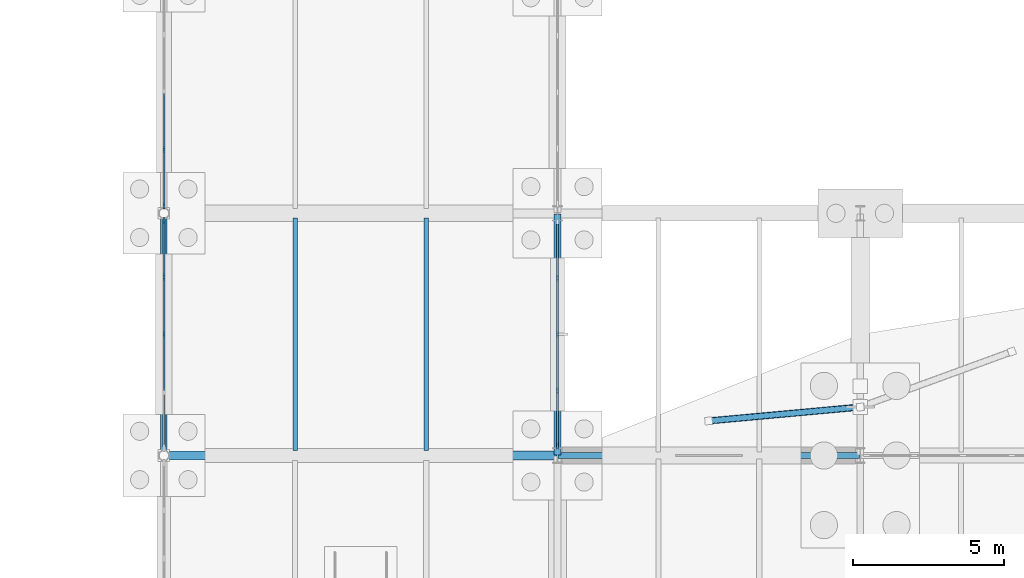
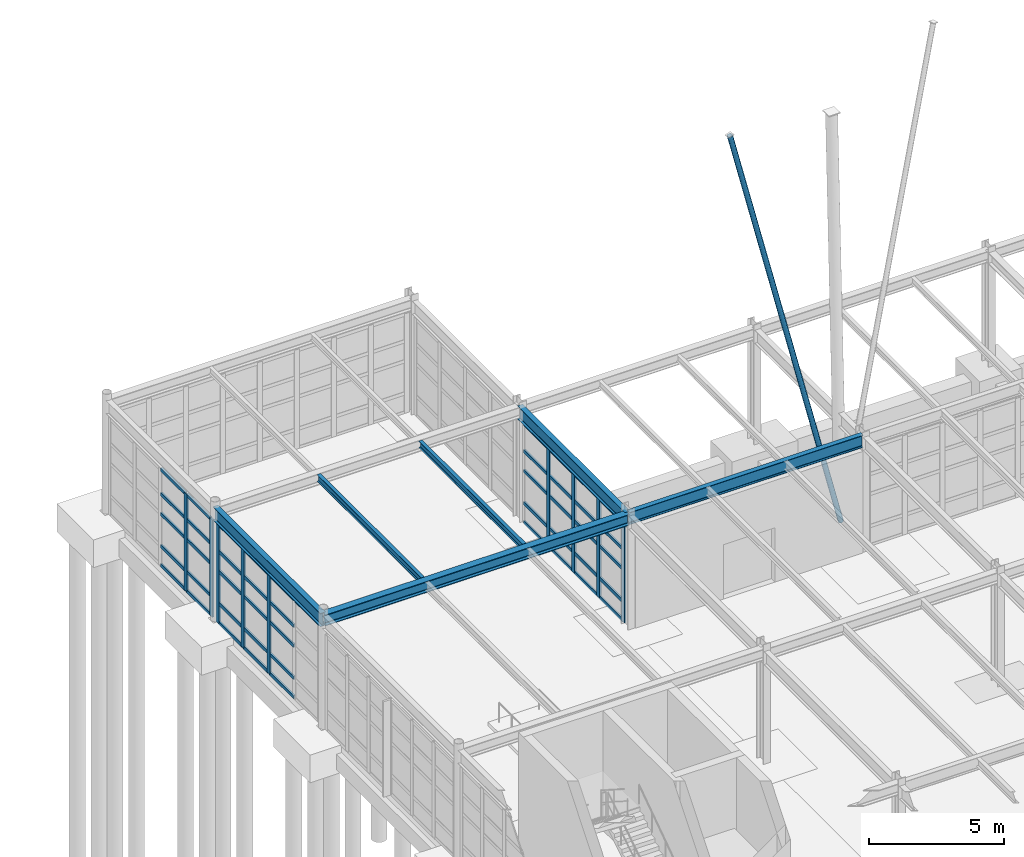
# One storey, part 53 of 145: 56 members, 6 beams, 3 elements without a shape of their own.
"""IFC4 building model written with IfcOpenShell, lengths in metres."""

import ifcopenshell
import ifcopenshell.guid

model = None  # the IFC model being written
_history = None  # IfcOwnerHistory: only IFC2X3 demands one
_inside = {}  # id of a spatial element -> (the spatial element, [elements in it])
_under = {}  # id of a project, library or spatial element -> (it, [spatial elements below it])
_declared = {}  # id of a project -> (the project, [libraries it declares])
_typed = {}  # id of a type object -> (the type object, [elements of that type])
_made_of = {}  # id of a material, layer set ... -> (it, [elements and type objects made of it])


def new_model(schema):
    """Start an empty IFC model of exactly this schema.

    Asked for "IFC4X3", IfcOpenShell would pick the latest addendum, in which some entities
    have other attributes; the version numbers below select the first issue.
    IFC2X3 requires an IfcOwnerHistory on every rooted entity: one is made here for all.
    """
    global model, _history
    if schema == "IFC4X3":
        model = ifcopenshell.file(schema_version=(4, 3, 0, 0))
    else:
        model = ifcopenshell.file(schema=schema)
    _inside.clear()
    _under.clear()
    _declared.clear()
    _typed.clear()
    _made_of.clear()
    _history = None
    if model.schema == "IFC2X3":
        org = make("IfcOrganization", Name="unknown")
        user = make(
            "IfcPersonAndOrganization",
            ThePerson=make("IfcPerson", FamilyName="unknown"),
            TheOrganization=org,
        )
        app = make(
            "IfcApplication",
            ApplicationDeveloper=org,
            Version="unknown",
            ApplicationFullName="unknown",
            ApplicationIdentifier="unknown",
        )
        _history = make(
            "IfcOwnerHistory",
            OwningUser=user,
            OwningApplication=app,
            ChangeAction="ADDED",
            CreationDate=0,
        )
    return model


def make(cls, **values):
    """One entity of the class cls with the attributes given. An attribute that is None is left unset."""
    return model.create_entity(
        cls, **{name: value for name, value in values.items() if value is not None}
    )


def rooted(cls, **values):
    """An entity with a GlobalId (a new one), such as an element, a storey or a relation."""
    return make(cls, GlobalId=ifcopenshell.guid.new(), OwnerHistory=_history, **values)


def si_unit(unit_type, name, prefix=None):
    """IfcSIUnit, for example si_unit("LENGTHUNIT", "METRE", prefix="MILLI")."""
    return make("IfcSIUnit", UnitType=unit_type, Prefix=prefix, Name=name)


def assignment(units):
    """IfcUnitAssignment: the units of a project."""
    return None if units is None else make("IfcUnitAssignment", Units=units)


def point(xyz):
    """IfcCartesianPoint."""
    return None if xyz is None else make("IfcCartesianPoint", Coordinates=xyz)


def direction(xyz):
    """IfcDirection."""
    return None if xyz is None else make("IfcDirection", DirectionRatios=xyz)


def frame(location, z_axis=None, x_axis=None):
    """IfcAxis2Placement3D, a coordinate frame: its origin and axes. An axis left out is left unset."""
    return make(
        "IfcAxis2Placement3D",
        Location=point(location),
        Axis=direction(z_axis),
        RefDirection=direction(x_axis),
    )


def frame_2d(location, x_axis=None):
    """IfcAxis2Placement2D, a coordinate frame in the plane: its origin and x axis."""
    return make(
        "IfcAxis2Placement2D", Location=point(location), RefDirection=direction(x_axis)
    )


def origin():
    """The frame at (0, 0, 0) with its axes left unset."""
    return frame((0.0, 0.0, 0.0))


def origin_2d():
    """The frame at (0, 0) in the plane with its x axis left unset."""
    return frame_2d((0.0, 0.0))


def place(relative_to, where):
    """IfcLocalPlacement: puts the frame where relative to a parent placement (None: the world)."""
    return make(
        "IfcLocalPlacement", PlacementRelTo=relative_to, RelativePlacement=where
    )


def context(
    kind, dimensions, precision=None, world=None, true_north=None, identifier=None
):
    """IfcGeometricRepresentationContext, for example the 3D "Model" context."""
    return make(
        "IfcGeometricRepresentationContext",
        ContextIdentifier=identifier,
        ContextType=kind,
        CoordinateSpaceDimension=dimensions,
        Precision=precision,
        WorldCoordinateSystem=world,
        TrueNorth=true_north,
    )


def subcontext(parent, identifier, kind, view, scale=None):
    """IfcGeometricRepresentationSubContext, for example "Body" below "Model"."""
    return make(
        "IfcGeometricRepresentationSubContext",
        ContextIdentifier=identifier,
        ContextType=kind,
        ParentContext=parent,
        TargetScale=scale,
        TargetView=view,
    )


def project(units=None, contexts=None):
    """IfcProject with its units and contexts."""
    return rooted(
        "IfcProject",
        Name="project",
        RepresentationContexts=contexts,
        UnitsInContext=assignment(units),
    )


def spatial(cls, under=None, at=None, **own):
    """A site, building, storey or space (cls), placed at a placement, below another one or the project."""
    s = rooted(cls, ObjectPlacement=at, **own)
    if under is not None:
        _under.setdefault(under.id(), (under, []))[1].append(s)
    return s


def profile(cls, at=None, kind="AREA", **sizes):
    """A parametric profile (cls). Its sizes go by their IFC names, for example OverallWidth=200.0."""
    return make(cls, ProfileType=kind, Position=at, **sizes)


def rectangle(**sizes):
    """IfcRectangleProfileDef."""
    return profile("IfcRectangleProfileDef", **sizes)


def hollow_circle(**sizes):
    """IfcCircleHollowProfileDef."""
    return profile("IfcCircleHollowProfileDef", **sizes)


def i_section(**sizes):
    """IfcIShapeProfileDef."""
    return profile("IfcIShapeProfileDef", **sizes)


def extrude(swept, where, along, depth):
    """IfcExtrudedAreaSolid: the profile swept, set in the frame where, extruded along a direction by depth."""
    return make(
        "IfcExtrudedAreaSolid",
        SweptArea=swept,
        Position=where,
        ExtrudedDirection=direction(along),
        Depth=depth,
    )


def shape(context_of_items, identifier, shape_type, items):
    """IfcShapeRepresentation: the items that make up one representation, for example the "Body"."""
    return make(
        "IfcShapeRepresentation",
        ContextOfItems=context_of_items,
        RepresentationIdentifier=identifier,
        RepresentationType=shape_type,
        Items=items,
    )


def material(Name=None, Category=None):
    """IfcMaterial."""
    return make("IfcMaterial", Name=Name, Category=Category)


def layer(
    of_material, thickness, ventilated=None, Name=None, Category=None, Priority=None
):
    """IfcMaterialLayer: one layer of a wall or slab, of a material (None: an air gap)."""
    return make(
        "IfcMaterialLayer",
        Material=of_material,
        LayerThickness=thickness,
        IsVentilated=ventilated,
        Name=Name,
        Category=Category,
        Priority=Priority,
    )


def layer_set(layers, Name=None):
    """IfcMaterialLayerSet."""
    return make("IfcMaterialLayerSet", MaterialLayers=layers, LayerSetName=Name)


def material_profile(
    of_material, cross_section, Name=None, Category=None, Priority=None
):
    """IfcMaterialProfile: a cross section and its material."""
    return make(
        "IfcMaterialProfile",
        Name=Name,
        Material=of_material,
        Profile=cross_section,
        Priority=Priority,
        Category=Category,
    )


def profile_set(profiles, Name=None, composite=None):
    """IfcMaterialProfileSet."""
    return make(
        "IfcMaterialProfileSet",
        Name=Name,
        MaterialProfiles=profiles,
        CompositeProfile=composite,
    )


def made_of(thing, what):
    """Note that an element or type object is made of a material, layer set ...; save() writes the relation."""
    if what is not None:
        _made_of.setdefault(what.id(), (what, []))[1].append(thing)
    return thing


def type_object(cls, material=None, **own):
    """A type object (cls), such as IfcWallType, which elements share."""
    return made_of(rooted(cls, **own), material)


def element(
    cls,
    number,
    at=None,
    inside=None,
    cuts=None,
    type_object=None,
    material=None,
    context=None,
    identifier="Body",
    shape_type=None,
    held_by="IfcProductDefinitionShape",
    body=None,
    shapes=None,
    **own,
):
    """One element of the class cls, such as IfcWall. Its Tag is "e" and its number.

    at: its placement. inside: the storey or other place that contains it. cuts: it is an
    opening in that element (IfcRelVoidsElement). A single representation is given by context,
    identifier, shape_type and body (its items); several are given by shapes. held_by: the class
    of the entity that holds the representations. save() writes the other relations.
    """
    e = rooted(cls, Tag="e%d" % number, ObjectPlacement=at, **own)
    if body is not None:
        shapes = [shape(context, identifier, shape_type, body)]
    if shapes is not None:
        e.Representation = make(held_by, Representations=shapes)
    if inside is not None:
        _inside.setdefault(inside.id(), (inside, []))[1].append(e)
    if cuts is not None:
        rooted(
            "IfcRelVoidsElement", RelatingBuildingElement=cuts, RelatedOpeningElement=e
        )
    if type_object is not None:
        _typed.setdefault(type_object.id(), (type_object, []))[1].append(e)
    return made_of(e, material)


def aggregate(whole, parts):
    """IfcRelAggregates: a whole, such as a stair, and the parts it consists of."""
    return rooted("IfcRelAggregates", RelatingObject=whole, RelatedObjects=parts)


def save(model, path):
    """Write the relations noted so far, then the file.

    IfcRelAggregates (storeys below a building ...), IfcRelContainedInSpatialStructure (elements
    in a storey), IfcRelDefinesByType, IfcRelAssociatesMaterial and IfcRelDeclares: one each for
    every whole, place, type object, material and project.
    """
    for whole, parts in _under.values():
        aggregate(whole, parts)
    for where, things in _inside.values():
        rooted(
            "IfcRelContainedInSpatialStructure",
            RelatedElements=things,
            RelatingStructure=where,
        )
    for kind, things in _typed.values():
        rooted("IfcRelDefinesByType", RelatedObjects=things, RelatingType=kind)
    for what, things in _made_of.values():
        rooted("IfcRelAssociatesMaterial", RelatedObjects=things, RelatingMaterial=what)
    for by, libraries in _declared.values():
        rooted("IfcRelDeclares", RelatingContext=by, RelatedDefinitions=libraries)
    model.write(path)


model = new_model("IFC4")

# Units and contexts
model_context = context("Model", 3, precision=1e-05, world=origin(), true_north=direction((0.0, 1.0)))
body_context = subcontext(model_context, "Body", "Model", "MODEL_VIEW")
ifc_project = project(units=[si_unit("LENGTHUNIT", "METRE"), si_unit("AREAUNIT", "SQUARE_METRE"), si_unit("VOLUMEUNIT", "CUBIC_METRE"), si_unit("PLANEANGLEUNIT", "RADIAN"), si_unit("MASSUNIT", "GRAM", prefix="KILO"), si_unit("THERMODYNAMICTEMPERATUREUNIT", "KELVIN"), si_unit("POWERUNIT", "WATT")], contexts=[model_context])

# Site, building, storey
site_placement = place(None, origin())
site = spatial("IfcSite", under=ifc_project, at=site_placement, CompositionType="ELEMENT")
building_placement = place(site_placement, origin())
building = spatial("IfcBuilding", under=site, at=building_placement, Name="Korenveer Ferry Terminal", CompositionType="ELEMENT")
storey_placement = place(building_placement, origin())
storey = spatial("IfcBuildingStorey", under=building, at=storey_placement, Name="L00", CompositionType="ELEMENT", Elevation=0.0)

# Curtain wall, members
ifc_material_1 = material(Name="Unitised bronze-and-glass curtain wall", Category="glass")
ifc_layer_1 = layer(ifc_material_1, 0.219970703125)
ifc_layer_set_1 = layer_set([ifc_layer_1], Name="Unitised bronze-and-glass curtain wall")
curtain_wall_type_1 = type_object("IfcCurtainWallType", Name="ENV-CW-23", PredefinedType="USERDEFINED", material=ifc_layer_set_1)
curtain_wall_1_placement = place(storey_placement, frame((40.0, 100.207763671875, 0.0)))
curtain_wall_1 = element("IfcCurtainWall", 1, at=curtain_wall_1_placement, inside=storey, type_object=curtain_wall_type_1, Name="Lancet curtain wall CWX-L00-X40-40-Y100-108", ObjectType="UNITISED CURTAIN WALL", PredefinedType="USERDEFINED")
ifc_material_2 = material(Name="Anodised bronze aluminium", Category="aluminium")
ifc_material_profile_1 = material_profile(ifc_material_2, rectangle(XDim=0.074951171875, YDim=0.219970703125, at=origin_2d()), Name="ALU 75x220")
ifc_profile_set_1 = profile_set([ifc_material_profile_1], Name="Anodised bronze aluminium")
member_type_1 = type_object("IfcMemberType", Name="ENV-CWM-75X220", PredefinedType="MULLION", material=ifc_profile_set_1)
member_1_placement = place(storey_placement, frame((40.0, 104.0, 0.0), z_axis=(0.0, 0.0, 1.0), x_axis=(-1.0, 0.0, 0.0)))
member_1 = element("IfcMember", 2, at=member_1_placement, type_object=member_type_1, Name="CW-23 mullion 3", PredefinedType="MULLION", context=body_context, shape_type="SweptSolid", body=[
    extrude(rectangle(XDim=0.074951171875, YDim=0.219970703125, at=origin_2d()), origin(), (0.0, 0.0, 1.0), 4.489990234375),
])
member_2_placement = place(storey_placement, frame((40.0, 105.89599609375, 0.0), z_axis=(0.0, 0.0, 1.0), x_axis=(-1.0, 0.0, 0.0)))
member_2 = element("IfcMember", 3, at=member_2_placement, type_object=member_type_1, Name="CW-23 mullion 4", PredefinedType="MULLION", context=body_context, shape_type="SweptSolid", body=[
    extrude(rectangle(XDim=0.074951171875, YDim=0.219970703125, at=origin_2d()), origin(), (0.0, 0.0, 1.0), 4.489990234375),
])
member_3_placement = place(storey_placement, frame((40.0, 107.754638671875, 0.0), z_axis=(0.0, 0.0, 1.0), x_axis=(-1.0, 0.0, 0.0)))
member_3 = element("IfcMember", 4, at=member_3_placement, type_object=member_type_1, Name="CW-23 mullion 5", PredefinedType="MULLION", context=body_context, shape_type="SweptSolid", body=[
    extrude(rectangle(XDim=0.074951171875, YDim=0.219970703125, at=origin_2d()), origin(), (0.0, 0.0, 1.0), 4.489990234375),
])

ifc_layer_2 = layer(ifc_material_1, 0.219970703125)
ifc_layer_set_2 = layer_set([ifc_layer_2], Name="Unitised bronze-and-glass curtain wall")
curtain_wall_type_2 = type_object("IfcCurtainWallType", Name="ENV-CW-24", PredefinedType="USERDEFINED", material=ifc_layer_set_2)
curtain_wall_2_placement = place(storey_placement, frame((40.0, 108.207763671875, 0.0)))
curtain_wall_2 = element("IfcCurtainWall", 5, at=curtain_wall_2_placement, inside=storey, type_object=curtain_wall_type_2, Name="Lancet curtain wall CWX-L00-X40-40-Y108-116", ObjectType="UNITISED CURTAIN WALL", PredefinedType="USERDEFINED")
member_4_placement = place(storey_placement, frame((40.0, 108.245361328125, 0.0), z_axis=(0.0, 0.0, 1.0), x_axis=(-1.0, 0.0, 0.0)))
member_4 = element("IfcMember", 6, at=member_4_placement, type_object=member_type_1, Name="CW-24 mullion 1", PredefinedType="MULLION", context=body_context, shape_type="SweptSolid", body=[
    extrude(rectangle(XDim=0.074951171875, YDim=0.219970703125, at=origin_2d()), origin(), (0.0, 0.0, 1.0), 4.389892578125),
])
member_5_placement = place(storey_placement, frame((40.0, 110.10400390625, 0.0), z_axis=(0.0, 0.0, 1.0), x_axis=(-1.0, 0.0, 0.0)))
member_5 = element("IfcMember", 7, at=member_5_placement, type_object=member_type_1, Name="CW-24 mullion 2", PredefinedType="MULLION", context=body_context, shape_type="SweptSolid", body=[
    extrude(rectangle(XDim=0.074951171875, YDim=0.219970703125, at=origin_2d()), origin(), (0.0, 0.0, 1.0), 4.389892578125),
])

ifc_layer_3 = layer(ifc_material_1, 0.219970703125)
ifc_layer_set_3 = layer_set([ifc_layer_3], Name="Unitised bronze-and-glass curtain wall")
curtain_wall_type_3 = type_object("IfcCurtainWallType", Name="ENV-CW-28", PredefinedType="USERDEFINED", material=ifc_layer_set_3)
curtain_wall_3_placement = place(storey_placement, frame((53.0, 107.719970703125, 0.0)))
curtain_wall_3 = element("IfcCurtainWall", 8, at=curtain_wall_3_placement, inside=storey, type_object=curtain_wall_type_3, Name="Lancet curtain wall CWX-L00-X53-53-Y100-108", ObjectType="UNITISED CURTAIN WALL", PredefinedType="USERDEFINED")
member_6_placement = place(storey_placement, frame((53.0, 105.860107421875, 0.0), z_axis=(0.0, 0.0, 1.0), x_axis=(1.0, 0.0, 0.0)))
member_6 = element("IfcMember", 9, at=member_6_placement, type_object=member_type_1, Name="CW-28 mullion 2", PredefinedType="MULLION", context=body_context, shape_type="SweptSolid", body=[
    extrude(rectangle(XDim=0.074951171875, YDim=0.219970703125, at=origin_2d()), origin(), (0.0, 0.0, 1.0), 4.489990234375),
])
member_7_placement = place(storey_placement, frame((53.0, 104.0, 0.0), z_axis=(0.0, 0.0, 1.0), x_axis=(1.0, 0.0, 0.0)))
member_7 = element("IfcMember", 10, at=member_7_placement, type_object=member_type_1, Name="CW-28 mullion 3", PredefinedType="MULLION", context=body_context, shape_type="SweptSolid", body=[
    extrude(rectangle(XDim=0.074951171875, YDim=0.219970703125, at=origin_2d()), origin(), (0.0, 0.0, 1.0), 4.489990234375),
])
member_8_placement = place(storey_placement, frame((53.0, 102.139892578125, 0.0), z_axis=(0.0, 0.0, 1.0), x_axis=(1.0, 0.0, 0.0)))
member_8 = element("IfcMember", 11, at=member_8_placement, type_object=member_type_1, Name="CW-28 mullion 4", PredefinedType="MULLION", context=body_context, shape_type="SweptSolid", body=[
    extrude(rectangle(XDim=0.074951171875, YDim=0.219970703125, at=origin_2d()), origin(), (0.0, 0.0, 1.0), 4.489990234375),
])
member_9_placement = place(storey_placement, frame((53.0, 100.3173828125, 0.0), z_axis=(0.0, 0.0, 1.0), x_axis=(1.0, 0.0, 0.0)))
member_9 = element("IfcMember", 12, at=member_9_placement, type_object=member_type_1, Name="CW-28 mullion 5", PredefinedType="MULLION", context=body_context, shape_type="SweptSolid", body=[
    extrude(rectangle(XDim=0.074951171875, YDim=0.219970703125, at=origin_2d()), origin(), (0.0, 0.0, 1.0), 4.489990234375),
])

# Member
ifc_material_profile_2 = material_profile(ifc_material_2, rectangle(XDim=0.074951171875, YDim=0.14990234375, at=origin_2d()), Name="ALU 75x150")
ifc_profile_set_2 = profile_set([ifc_material_profile_2], Name="Anodised bronze aluminium")
member_type_2 = type_object("IfcMemberType", Name="ENV-CWT-75X150", PredefinedType="USERDEFINED", material=ifc_profile_set_2)
member_10_placement = place(storey_placement, frame((40.0, 100.28271484375, 4.452392578125), z_axis=(0.0, 1.0, 0.0), x_axis=(-1.0, 0.0, 0.0)))
member_10 = element("IfcMember", 13, at=member_10_placement, type_object=member_type_2, Name="CW-23 transom 1.5", ObjectType="TRANSOM", PredefinedType="USERDEFINED", context=body_context, shape_type="SweptSolid", body=[
    extrude(rectangle(XDim=0.074951171875, YDim=0.14990234375, at=origin_2d()), origin(), (0.0, 0.0, 1.0), 1.78369140625),
])

member_11_placement = place(storey_placement, frame((40.0, 102.141357421875, 0.03759765625), z_axis=(0.0, 1.0, 0.0), x_axis=(-1.0, 0.0, 0.0)))
member_11 = element("IfcMember", 14, at=member_11_placement, type_object=member_type_2, Name="CW-23 transom 2.1", ObjectType="TRANSOM", PredefinedType="USERDEFINED", context=body_context, shape_type="SweptSolid", body=[
    extrude(rectangle(XDim=0.074951171875, YDim=0.14990234375, at=origin_2d()), origin(), (0.0, 0.0, 1.0), 1.821044921875),
])

member_12_placement = place(storey_placement, frame((40.0, 102.141357421875, 0.89990234375), z_axis=(0.0, 1.0, 0.0), x_axis=(-1.0, 0.0, 0.0)))
member_12 = element("IfcMember", 15, at=member_12_placement, type_object=member_type_2, Name="CW-23 transom 2.2", ObjectType="TRANSOM", PredefinedType="USERDEFINED", context=body_context, shape_type="SweptSolid", body=[
    extrude(rectangle(XDim=0.074951171875, YDim=0.14990234375, at=origin_2d()), origin(), (0.0, 0.0, 1.0), 1.821044921875),
])

member_13_placement = place(storey_placement, frame((40.0, 102.141357421875, 2.35009765625), z_axis=(0.0, 1.0, 0.0), x_axis=(-1.0, 0.0, 0.0)))
member_13 = element("IfcMember", 16, at=member_13_placement, type_object=member_type_2, Name="CW-23 transom 2.3", ObjectType="TRANSOM", PredefinedType="USERDEFINED", context=body_context, shape_type="SweptSolid", body=[
    extrude(rectangle(XDim=0.074951171875, YDim=0.14990234375, at=origin_2d()), origin(), (0.0, 0.0, 1.0), 1.821044921875),
])

member_14_placement = place(storey_placement, frame((40.0, 102.141357421875, 3.25), z_axis=(0.0, 1.0, 0.0), x_axis=(-1.0, 0.0, 0.0)))
member_14 = element("IfcMember", 17, at=member_14_placement, type_object=member_type_2, Name="CW-23 transom 2.4", ObjectType="TRANSOM", PredefinedType="USERDEFINED", context=body_context, shape_type="SweptSolid", body=[
    extrude(rectangle(XDim=0.074951171875, YDim=0.14990234375, at=origin_2d()), origin(), (0.0, 0.0, 1.0), 1.821044921875),
])

member_15_placement = place(storey_placement, frame((40.0, 102.141357421875, 4.452392578125), z_axis=(0.0, 1.0, 0.0), x_axis=(-1.0, 0.0, 0.0)))
member_15 = element("IfcMember", 18, at=member_15_placement, type_object=member_type_2, Name="CW-23 transom 2.5", ObjectType="TRANSOM", PredefinedType="USERDEFINED", context=body_context, shape_type="SweptSolid", body=[
    extrude(rectangle(XDim=0.074951171875, YDim=0.14990234375, at=origin_2d()), origin(), (0.0, 0.0, 1.0), 1.821044921875),
])

member_16_placement = place(storey_placement, frame((40.0, 104.03759765625, 0.03759765625), z_axis=(0.0, 1.0, 0.0), x_axis=(-1.0, 0.0, 0.0)))
member_16 = element("IfcMember", 19, at=member_16_placement, type_object=member_type_2, Name="CW-23 transom 3.1", ObjectType="TRANSOM", PredefinedType="USERDEFINED", context=body_context, shape_type="SweptSolid", body=[
    extrude(rectangle(XDim=0.074951171875, YDim=0.14990234375, at=origin_2d()), origin(), (0.0, 0.0, 1.0), 1.821044921875),
])

member_17_placement = place(storey_placement, frame((40.0, 104.03759765625, 0.89990234375), z_axis=(0.0, 1.0, 0.0), x_axis=(-1.0, 0.0, 0.0)))
member_17 = element("IfcMember", 20, at=member_17_placement, type_object=member_type_2, Name="CW-23 transom 3.2", ObjectType="TRANSOM", PredefinedType="USERDEFINED", context=body_context, shape_type="SweptSolid", body=[
    extrude(rectangle(XDim=0.074951171875, YDim=0.14990234375, at=origin_2d()), origin(), (0.0, 0.0, 1.0), 1.821044921875),
])

member_18_placement = place(storey_placement, frame((40.0, 104.03759765625, 2.35009765625), z_axis=(0.0, 1.0, 0.0), x_axis=(-1.0, 0.0, 0.0)))
member_18 = element("IfcMember", 21, at=member_18_placement, type_object=member_type_2, Name="CW-23 transom 3.3", ObjectType="TRANSOM", PredefinedType="USERDEFINED", context=body_context, shape_type="SweptSolid", body=[
    extrude(rectangle(XDim=0.074951171875, YDim=0.14990234375, at=origin_2d()), origin(), (0.0, 0.0, 1.0), 1.821044921875),
])

member_19_placement = place(storey_placement, frame((40.0, 104.03759765625, 3.25), z_axis=(0.0, 1.0, 0.0), x_axis=(-1.0, 0.0, 0.0)))
member_19 = element("IfcMember", 22, at=member_19_placement, type_object=member_type_2, Name="CW-23 transom 3.4", ObjectType="TRANSOM", PredefinedType="USERDEFINED", context=body_context, shape_type="SweptSolid", body=[
    extrude(rectangle(XDim=0.074951171875, YDim=0.14990234375, at=origin_2d()), origin(), (0.0, 0.0, 1.0), 1.821044921875),
])

member_20_placement = place(storey_placement, frame((40.0, 104.03759765625, 4.452392578125), z_axis=(0.0, 1.0, 0.0), x_axis=(-1.0, 0.0, 0.0)))
member_20 = element("IfcMember", 23, at=member_20_placement, type_object=member_type_2, Name="CW-23 transom 3.5", ObjectType="TRANSOM", PredefinedType="USERDEFINED", context=body_context, shape_type="SweptSolid", body=[
    extrude(rectangle(XDim=0.074951171875, YDim=0.14990234375, at=origin_2d()), origin(), (0.0, 0.0, 1.0), 1.821044921875),
])

member_21_placement = place(storey_placement, frame((40.0, 105.93359375, 0.03759765625), z_axis=(0.0, 1.0, 0.0), x_axis=(-1.0, 0.0, 0.0)))
member_21 = element("IfcMember", 24, at=member_21_placement, type_object=member_type_2, Name="CW-23 transom 4.1", ObjectType="TRANSOM", PredefinedType="USERDEFINED", context=body_context, shape_type="SweptSolid", body=[
    extrude(rectangle(XDim=0.074951171875, YDim=0.14990234375, at=origin_2d()), origin(), (0.0, 0.0, 1.0), 1.78369140625),
])

member_22_placement = place(storey_placement, frame((40.0, 105.93359375, 0.89990234375), z_axis=(0.0, 1.0, 0.0), x_axis=(-1.0, 0.0, 0.0)))
member_22 = element("IfcMember", 25, at=member_22_placement, type_object=member_type_2, Name="CW-23 transom 4.2", ObjectType="TRANSOM", PredefinedType="USERDEFINED", context=body_context, shape_type="SweptSolid", body=[
    extrude(rectangle(XDim=0.074951171875, YDim=0.14990234375, at=origin_2d()), origin(), (0.0, 0.0, 1.0), 1.78369140625),
])

member_23_placement = place(storey_placement, frame((40.0, 105.93359375, 2.35009765625), z_axis=(0.0, 1.0, 0.0), x_axis=(-1.0, 0.0, 0.0)))
member_23 = element("IfcMember", 26, at=member_23_placement, type_object=member_type_2, Name="CW-23 transom 4.3", ObjectType="TRANSOM", PredefinedType="USERDEFINED", context=body_context, shape_type="SweptSolid", body=[
    extrude(rectangle(XDim=0.074951171875, YDim=0.14990234375, at=origin_2d()), origin(), (0.0, 0.0, 1.0), 1.78369140625),
])

member_24_placement = place(storey_placement, frame((40.0, 105.93359375, 3.25), z_axis=(0.0, 1.0, 0.0), x_axis=(-1.0, 0.0, 0.0)))
member_24 = element("IfcMember", 27, at=member_24_placement, type_object=member_type_2, Name="CW-23 transom 4.4", ObjectType="TRANSOM", PredefinedType="USERDEFINED", context=body_context, shape_type="SweptSolid", body=[
    extrude(rectangle(XDim=0.074951171875, YDim=0.14990234375, at=origin_2d()), origin(), (0.0, 0.0, 1.0), 1.78369140625),
])

member_25_placement = place(storey_placement, frame((40.0, 105.93359375, 4.452392578125), z_axis=(0.0, 1.0, 0.0), x_axis=(-1.0, 0.0, 0.0)))
member_25 = element("IfcMember", 28, at=member_25_placement, type_object=member_type_2, Name="CW-23 transom 4.5", ObjectType="TRANSOM", PredefinedType="USERDEFINED", context=body_context, shape_type="SweptSolid", body=[
    extrude(rectangle(XDim=0.074951171875, YDim=0.14990234375, at=origin_2d()), origin(), (0.0, 0.0, 1.0), 1.78369140625),
])

aggregate(curtain_wall_1, [member_1, member_2, member_3, member_10, member_11, member_12, member_13, member_14, member_15, member_16, member_17, member_18, member_19, member_20, member_21, member_22, member_23, member_24, member_25])

member_26_placement = place(storey_placement, frame((40.0, 108.28271484375, 0.03759765625), z_axis=(0.0, 1.0, 0.0), x_axis=(-1.0, 0.0, 0.0)))
member_26 = element("IfcMember", 29, at=member_26_placement, type_object=member_type_2, Name="CW-24 transom 1.1", ObjectType="TRANSOM", PredefinedType="USERDEFINED", context=body_context, shape_type="SweptSolid", body=[
    extrude(rectangle(XDim=0.074951171875, YDim=0.14990234375, at=origin_2d()), origin(), (0.0, 0.0, 1.0), 1.78369140625),
])

member_27_placement = place(storey_placement, frame((40.0, 108.28271484375, 0.89990234375), z_axis=(0.0, 1.0, 0.0), x_axis=(-1.0, 0.0, 0.0)))
member_27 = element("IfcMember", 30, at=member_27_placement, type_object=member_type_2, Name="CW-24 transom 1.2", ObjectType="TRANSOM", PredefinedType="USERDEFINED", context=body_context, shape_type="SweptSolid", body=[
    extrude(rectangle(XDim=0.074951171875, YDim=0.14990234375, at=origin_2d()), origin(), (0.0, 0.0, 1.0), 1.78369140625),
])

member_28_placement = place(storey_placement, frame((40.0, 108.28271484375, 2.35009765625), z_axis=(0.0, 1.0, 0.0), x_axis=(-1.0, 0.0, 0.0)))
member_28 = element("IfcMember", 31, at=member_28_placement, type_object=member_type_2, Name="CW-24 transom 1.3", ObjectType="TRANSOM", PredefinedType="USERDEFINED", context=body_context, shape_type="SweptSolid", body=[
    extrude(rectangle(XDim=0.074951171875, YDim=0.14990234375, at=origin_2d()), origin(), (0.0, 0.0, 1.0), 1.78369140625),
])

member_29_placement = place(storey_placement, frame((40.0, 108.28271484375, 3.25), z_axis=(0.0, 1.0, 0.0), x_axis=(-1.0, 0.0, 0.0)))
member_29 = element("IfcMember", 32, at=member_29_placement, type_object=member_type_2, Name="CW-24 transom 1.4", ObjectType="TRANSOM", PredefinedType="USERDEFINED", context=body_context, shape_type="SweptSolid", body=[
    extrude(rectangle(XDim=0.074951171875, YDim=0.14990234375, at=origin_2d()), origin(), (0.0, 0.0, 1.0), 1.78369140625),
])

member_30_placement = place(storey_placement, frame((40.0, 108.28271484375, 4.3525390625), z_axis=(0.0, 1.0, 0.0), x_axis=(-1.0, 0.0, 0.0)))
member_30 = element("IfcMember", 33, at=member_30_placement, type_object=member_type_2, Name="CW-24 transom 1.5", ObjectType="TRANSOM", PredefinedType="USERDEFINED", context=body_context, shape_type="SweptSolid", body=[
    extrude(rectangle(XDim=0.074951171875, YDim=0.14990234375, at=origin_2d()), origin(), (0.0, 0.0, 1.0), 1.78369140625),
])

member_31_placement = place(storey_placement, frame((40.0, 110.141357421875, 0.03759765625), z_axis=(0.0, 1.0, 0.0), x_axis=(-1.0, 0.0, 0.0)))
member_31 = element("IfcMember", 34, at=member_31_placement, type_object=member_type_2, Name="CW-24 transom 2.1", ObjectType="TRANSOM", PredefinedType="USERDEFINED", context=body_context, shape_type="SweptSolid", body=[
    extrude(rectangle(XDim=0.074951171875, YDim=0.14990234375, at=origin_2d()), origin(), (0.0, 0.0, 1.0), 1.821044921875),
])

member_32_placement = place(storey_placement, frame((40.0, 110.141357421875, 0.89990234375), z_axis=(0.0, 1.0, 0.0), x_axis=(-1.0, 0.0, 0.0)))
member_32 = element("IfcMember", 35, at=member_32_placement, type_object=member_type_2, Name="CW-24 transom 2.2", ObjectType="TRANSOM", PredefinedType="USERDEFINED", context=body_context, shape_type="SweptSolid", body=[
    extrude(rectangle(XDim=0.074951171875, YDim=0.14990234375, at=origin_2d()), origin(), (0.0, 0.0, 1.0), 1.821044921875),
])

member_33_placement = place(storey_placement, frame((40.0, 110.141357421875, 2.35009765625), z_axis=(0.0, 1.0, 0.0), x_axis=(-1.0, 0.0, 0.0)))
member_33 = element("IfcMember", 36, at=member_33_placement, type_object=member_type_2, Name="CW-24 transom 2.3", ObjectType="TRANSOM", PredefinedType="USERDEFINED", context=body_context, shape_type="SweptSolid", body=[
    extrude(rectangle(XDim=0.074951171875, YDim=0.14990234375, at=origin_2d()), origin(), (0.0, 0.0, 1.0), 1.821044921875),
])

member_34_placement = place(storey_placement, frame((40.0, 110.141357421875, 3.25), z_axis=(0.0, 1.0, 0.0), x_axis=(-1.0, 0.0, 0.0)))
member_34 = element("IfcMember", 37, at=member_34_placement, type_object=member_type_2, Name="CW-24 transom 2.4", ObjectType="TRANSOM", PredefinedType="USERDEFINED", context=body_context, shape_type="SweptSolid", body=[
    extrude(rectangle(XDim=0.074951171875, YDim=0.14990234375, at=origin_2d()), origin(), (0.0, 0.0, 1.0), 1.821044921875),
])

member_35_placement = place(storey_placement, frame((40.0, 110.141357421875, 4.3525390625), z_axis=(0.0, 1.0, 0.0), x_axis=(-1.0, 0.0, 0.0)))
member_35 = element("IfcMember", 38, at=member_35_placement, type_object=member_type_2, Name="CW-24 transom 2.5", ObjectType="TRANSOM", PredefinedType="USERDEFINED", context=body_context, shape_type="SweptSolid", body=[
    extrude(rectangle(XDim=0.074951171875, YDim=0.14990234375, at=origin_2d()), origin(), (0.0, 0.0, 1.0), 1.821044921875),
])

aggregate(curtain_wall_2, [member_4, member_5, member_26, member_27, member_28, member_29, member_30, member_31, member_32, member_33, member_34, member_35])

member_36_placement = place(storey_placement, frame((53.0, 107.64501953125, 0.03759765625), z_axis=(0.0, -1.0, 0.0), x_axis=(1.0, 0.0, 0.0)))
member_36 = element("IfcMember", 39, at=member_36_placement, type_object=member_type_2, Name="CW-28 transom 1.1", ObjectType="TRANSOM", PredefinedType="USERDEFINED", context=body_context, shape_type="SweptSolid", body=[
    extrude(rectangle(XDim=0.074951171875, YDim=0.14990234375, at=origin_2d()), origin(), (0.0, 0.0, 1.0), 1.74755859375),
])

member_37_placement = place(storey_placement, frame((53.0, 107.64501953125, 0.89990234375), z_axis=(0.0, -1.0, 0.0), x_axis=(1.0, 0.0, 0.0)))
member_37 = element("IfcMember", 40, at=member_37_placement, type_object=member_type_2, Name="CW-28 transom 1.2", ObjectType="TRANSOM", PredefinedType="USERDEFINED", context=body_context, shape_type="SweptSolid", body=[
    extrude(rectangle(XDim=0.074951171875, YDim=0.14990234375, at=origin_2d()), origin(), (0.0, 0.0, 1.0), 1.74755859375),
])

member_38_placement = place(storey_placement, frame((53.0, 107.64501953125, 2.35009765625), z_axis=(0.0, -1.0, 0.0), x_axis=(1.0, 0.0, 0.0)))
member_38 = element("IfcMember", 41, at=member_38_placement, type_object=member_type_2, Name="CW-28 transom 1.3", ObjectType="TRANSOM", PredefinedType="USERDEFINED", context=body_context, shape_type="SweptSolid", body=[
    extrude(rectangle(XDim=0.074951171875, YDim=0.14990234375, at=origin_2d()), origin(), (0.0, 0.0, 1.0), 1.74755859375),
])

member_39_placement = place(storey_placement, frame((53.0, 107.64501953125, 3.25), z_axis=(0.0, -1.0, 0.0), x_axis=(1.0, 0.0, 0.0)))
member_39 = element("IfcMember", 42, at=member_39_placement, type_object=member_type_2, Name="CW-28 transom 1.4", ObjectType="TRANSOM", PredefinedType="USERDEFINED", context=body_context, shape_type="SweptSolid", body=[
    extrude(rectangle(XDim=0.074951171875, YDim=0.14990234375, at=origin_2d()), origin(), (0.0, 0.0, 1.0), 1.74755859375),
])

member_40_placement = place(storey_placement, frame((53.0, 107.64501953125, 4.452392578125), z_axis=(0.0, -1.0, 0.0), x_axis=(1.0, 0.0, 0.0)))
member_40 = element("IfcMember", 43, at=member_40_placement, type_object=member_type_2, Name="CW-28 transom 1.5", ObjectType="TRANSOM", PredefinedType="USERDEFINED", context=body_context, shape_type="SweptSolid", body=[
    extrude(rectangle(XDim=0.074951171875, YDim=0.14990234375, at=origin_2d()), origin(), (0.0, 0.0, 1.0), 1.74755859375),
])

member_41_placement = place(storey_placement, frame((53.0, 105.822509765625, 0.03759765625), z_axis=(0.0, -1.0, 0.0), x_axis=(1.0, 0.0, 0.0)))
member_41 = element("IfcMember", 44, at=member_41_placement, type_object=member_type_2, Name="CW-28 transom 2.1", ObjectType="TRANSOM", PredefinedType="USERDEFINED", context=body_context, shape_type="SweptSolid", body=[
    extrude(rectangle(XDim=0.074951171875, YDim=0.14990234375, at=origin_2d()), origin(), (0.0, 0.0, 1.0), 1.784912109375),
])

member_42_placement = place(storey_placement, frame((53.0, 105.822509765625, 0.89990234375), z_axis=(0.0, -1.0, 0.0), x_axis=(1.0, 0.0, 0.0)))
member_42 = element("IfcMember", 45, at=member_42_placement, type_object=member_type_2, Name="CW-28 transom 2.2", ObjectType="TRANSOM", PredefinedType="USERDEFINED", context=body_context, shape_type="SweptSolid", body=[
    extrude(rectangle(XDim=0.074951171875, YDim=0.14990234375, at=origin_2d()), origin(), (0.0, 0.0, 1.0), 1.784912109375),
])

member_43_placement = place(storey_placement, frame((53.0, 105.822509765625, 2.35009765625), z_axis=(0.0, -1.0, 0.0), x_axis=(1.0, 0.0, 0.0)))
member_43 = element("IfcMember", 46, at=member_43_placement, type_object=member_type_2, Name="CW-28 transom 2.3", ObjectType="TRANSOM", PredefinedType="USERDEFINED", context=body_context, shape_type="SweptSolid", body=[
    extrude(rectangle(XDim=0.074951171875, YDim=0.14990234375, at=origin_2d()), origin(), (0.0, 0.0, 1.0), 1.784912109375),
])

member_44_placement = place(storey_placement, frame((53.0, 105.822509765625, 3.25), z_axis=(0.0, -1.0, 0.0), x_axis=(1.0, 0.0, 0.0)))
member_44 = element("IfcMember", 47, at=member_44_placement, type_object=member_type_2, Name="CW-28 transom 2.4", ObjectType="TRANSOM", PredefinedType="USERDEFINED", context=body_context, shape_type="SweptSolid", body=[
    extrude(rectangle(XDim=0.074951171875, YDim=0.14990234375, at=origin_2d()), origin(), (0.0, 0.0, 1.0), 1.784912109375),
])

member_45_placement = place(storey_placement, frame((53.0, 105.822509765625, 4.452392578125), z_axis=(0.0, -1.0, 0.0), x_axis=(1.0, 0.0, 0.0)))
member_45 = element("IfcMember", 48, at=member_45_placement, type_object=member_type_2, Name="CW-28 transom 2.5", ObjectType="TRANSOM", PredefinedType="USERDEFINED", context=body_context, shape_type="SweptSolid", body=[
    extrude(rectangle(XDim=0.074951171875, YDim=0.14990234375, at=origin_2d()), origin(), (0.0, 0.0, 1.0), 1.784912109375),
])

member_46_placement = place(storey_placement, frame((53.0, 103.96240234375, 0.03759765625), z_axis=(0.0, -1.0, 0.0), x_axis=(1.0, 0.0, 0.0)))
member_46 = element("IfcMember", 49, at=member_46_placement, type_object=member_type_2, Name="CW-28 transom 3.1", ObjectType="TRANSOM", PredefinedType="USERDEFINED", context=body_context, shape_type="SweptSolid", body=[
    extrude(rectangle(XDim=0.074951171875, YDim=0.14990234375, at=origin_2d()), origin(), (0.0, 0.0, 1.0), 1.784912109375),
])

member_47_placement = place(storey_placement, frame((53.0, 103.96240234375, 0.89990234375), z_axis=(0.0, -1.0, 0.0), x_axis=(1.0, 0.0, 0.0)))
member_47 = element("IfcMember", 50, at=member_47_placement, type_object=member_type_2, Name="CW-28 transom 3.2", ObjectType="TRANSOM", PredefinedType="USERDEFINED", context=body_context, shape_type="SweptSolid", body=[
    extrude(rectangle(XDim=0.074951171875, YDim=0.14990234375, at=origin_2d()), origin(), (0.0, 0.0, 1.0), 1.784912109375),
])

member_48_placement = place(storey_placement, frame((53.0, 103.96240234375, 2.35009765625), z_axis=(0.0, -1.0, 0.0), x_axis=(1.0, 0.0, 0.0)))
member_48 = element("IfcMember", 51, at=member_48_placement, type_object=member_type_2, Name="CW-28 transom 3.3", ObjectType="TRANSOM", PredefinedType="USERDEFINED", context=body_context, shape_type="SweptSolid", body=[
    extrude(rectangle(XDim=0.074951171875, YDim=0.14990234375, at=origin_2d()), origin(), (0.0, 0.0, 1.0), 1.784912109375),
])

member_49_placement = place(storey_placement, frame((53.0, 103.96240234375, 3.25), z_axis=(0.0, -1.0, 0.0), x_axis=(1.0, 0.0, 0.0)))
member_49 = element("IfcMember", 52, at=member_49_placement, type_object=member_type_2, Name="CW-28 transom 3.4", ObjectType="TRANSOM", PredefinedType="USERDEFINED", context=body_context, shape_type="SweptSolid", body=[
    extrude(rectangle(XDim=0.074951171875, YDim=0.14990234375, at=origin_2d()), origin(), (0.0, 0.0, 1.0), 1.784912109375),
])

member_50_placement = place(storey_placement, frame((53.0, 103.96240234375, 4.452392578125), z_axis=(0.0, -1.0, 0.0), x_axis=(1.0, 0.0, 0.0)))
member_50 = element("IfcMember", 53, at=member_50_placement, type_object=member_type_2, Name="CW-28 transom 3.5", ObjectType="TRANSOM", PredefinedType="USERDEFINED", context=body_context, shape_type="SweptSolid", body=[
    extrude(rectangle(XDim=0.074951171875, YDim=0.14990234375, at=origin_2d()), origin(), (0.0, 0.0, 1.0), 1.784912109375),
])

member_51_placement = place(storey_placement, frame((53.0, 102.1025390625, 0.03759765625), z_axis=(0.0, -1.0, 0.0), x_axis=(1.0, 0.0, 0.0)))
member_51 = element("IfcMember", 54, at=member_51_placement, type_object=member_type_2, Name="CW-28 transom 4.1", ObjectType="TRANSOM", PredefinedType="USERDEFINED", context=body_context, shape_type="SweptSolid", body=[
    extrude(rectangle(XDim=0.074951171875, YDim=0.14990234375, at=origin_2d()), origin(), (0.0, 0.0, 1.0), 1.74755859375),
])

member_52_placement = place(storey_placement, frame((53.0, 102.1025390625, 0.89990234375), z_axis=(0.0, -1.0, 0.0), x_axis=(1.0, 0.0, 0.0)))
member_52 = element("IfcMember", 55, at=member_52_placement, type_object=member_type_2, Name="CW-28 transom 4.2", ObjectType="TRANSOM", PredefinedType="USERDEFINED", context=body_context, shape_type="SweptSolid", body=[
    extrude(rectangle(XDim=0.074951171875, YDim=0.14990234375, at=origin_2d()), origin(), (0.0, 0.0, 1.0), 1.74755859375),
])

member_53_placement = place(storey_placement, frame((53.0, 102.1025390625, 2.35009765625), z_axis=(0.0, -1.0, 0.0), x_axis=(1.0, 0.0, 0.0)))
member_53 = element("IfcMember", 56, at=member_53_placement, type_object=member_type_2, Name="CW-28 transom 4.3", ObjectType="TRANSOM", PredefinedType="USERDEFINED", context=body_context, shape_type="SweptSolid", body=[
    extrude(rectangle(XDim=0.074951171875, YDim=0.14990234375, at=origin_2d()), origin(), (0.0, 0.0, 1.0), 1.74755859375),
])

member_54_placement = place(storey_placement, frame((53.0, 102.1025390625, 3.25), z_axis=(0.0, -1.0, 0.0), x_axis=(1.0, 0.0, 0.0)))
member_54 = element("IfcMember", 57, at=member_54_placement, type_object=member_type_2, Name="CW-28 transom 4.4", ObjectType="TRANSOM", PredefinedType="USERDEFINED", context=body_context, shape_type="SweptSolid", body=[
    extrude(rectangle(XDim=0.074951171875, YDim=0.14990234375, at=origin_2d()), origin(), (0.0, 0.0, 1.0), 1.74755859375),
])

member_55_placement = place(storey_placement, frame((53.0, 102.1025390625, 4.452392578125), z_axis=(0.0, -1.0, 0.0), x_axis=(1.0, 0.0, 0.0)))
member_55 = element("IfcMember", 58, at=member_55_placement, type_object=member_type_2, Name="CW-28 transom 4.5", ObjectType="TRANSOM", PredefinedType="USERDEFINED", context=body_context, shape_type="SweptSolid", body=[
    extrude(rectangle(XDim=0.074951171875, YDim=0.14990234375, at=origin_2d()), origin(), (0.0, 0.0, 1.0), 1.74755859375),
])

aggregate(curtain_wall_3, [member_6, member_7, member_8, member_9, member_36, member_37, member_38, member_39, member_40, member_41, member_42, member_43, member_44, member_45, member_46, member_47, member_48, member_49, member_50, member_51, member_52, member_53, member_54, member_55])

# Beams
ifc_material_3 = material(Name="Steel S355", Category="steel")
ifc_material_profile_3 = material_profile(ifc_material_3, i_section(OverallWidth=0.300048828125, OverallDepth=0.5, WebThickness=0.014404296875, FlangeThickness=0.028076171875, FilletRadius=0.027099609375, at=origin_2d()), Name="HEB 500")
ifc_profile_set_3 = profile_set([ifc_material_profile_3], Name="Steel S355")
beam_type_1 = type_object("IfcBeamType", Name="STR-BM-HEB500", PredefinedType="BEAM", material=ifc_profile_set_3)
beam_1_placement = place(storey_placement, frame((40.02001953125, 100.0, 4.8701171875), z_axis=(1.0, 0.0, 0.0), x_axis=(0.0, 1.0, 0.0)))
element("IfcBeam", 59, at=beam_1_placement, inside=storey, type_object=beam_type_1, Name="Primary X girder BMX-L01-X40-53-Y100", PredefinedType="BEAM", context=body_context, shape_type="SweptSolid", body=[
    extrude(i_section(OverallWidth=0.300048828125, OverallDepth=0.5, WebThickness=0.014404296875, FlangeThickness=0.028076171875, FilletRadius=0.027099609375, at=origin_2d()), origin(), (0.0, 0.0, 1.0), 12.9599609375),
])
ifc_material_profile_4 = material_profile(ifc_material_3, i_section(OverallWidth=0.2099609375, OverallDepth=0.550048828125, WebThickness=0.010986328125, FlangeThickness=0.01708984375, FilletRadius=0.02392578125, at=origin_2d()), Name="IPE 550")
ifc_profile_set_4 = profile_set([ifc_material_profile_4], Name="Steel S355")
beam_type_2 = type_object("IfcBeamType", Name="STR-BM-IPE550", PredefinedType="BEAM", material=ifc_profile_set_4)
beam_2_placement = place(storey_placement, frame((53.02001953125, 100.0, 4.885009765625), z_axis=(1.0, 0.0, 0.0), x_axis=(0.0, 1.0, 0.0)))
element("IfcBeam", 60, at=beam_2_placement, inside=storey, type_object=beam_type_2, Name="Primary X girder BMX-L01-X53-63-Y100", PredefinedType="BEAM", context=body_context, shape_type="SweptSolid", body=[
    extrude(i_section(OverallWidth=0.2099609375, OverallDepth=0.550048828125, WebThickness=0.010986328125, FlangeThickness=0.01708984375, FilletRadius=0.02392578125, at=origin_2d()), origin(), (0.0, 0.0, 1.0), 9.9599609375),
])
ifc_material_profile_5 = material_profile(ifc_material_3, i_section(OverallWidth=0.219970703125, OverallDepth=0.60009765625, WebThickness=0.011962890625, FlangeThickness=0.01904296875, FilletRadius=0.02392578125, at=origin_2d()), Name="IPE 600")
ifc_profile_set_5 = profile_set([ifc_material_profile_5], Name="Steel S355")
beam_type_3 = type_object("IfcBeamType", Name="STR-BM-IPE600", PredefinedType="BEAM", material=ifc_profile_set_5)
for number, where, z_axis, x_axis, name in (
    (61, (40.0, 100.02001953125, 4.820068359375), (0.0, 1.0, 0.0), (-1.0, 0.0, 0.0), "Primary Y girder BMY-L01-X40-Y100-108"),
    (62, (53.0, 100.02001953125, 4.820068359375), (0.0, 1.0, 0.0), (-1.0, 0.0, 0.0), "Primary Y girder BMY-L01-X53-Y100-108"),
):
    element("IfcBeam", number, at=place(storey_placement, frame(where, z_axis=z_axis, x_axis=x_axis)), inside=storey, type_object=beam_type_3, Name=name, PredefinedType="BEAM", context=body_context, shape_type="SweptSolid", body=[
        extrude(i_section(OverallWidth=0.219970703125, OverallDepth=0.60009765625, WebThickness=0.011962890625, FlangeThickness=0.01904296875, FilletRadius=0.02392578125, at=origin_2d()), origin(), (0.0, 0.0, 1.0), 7.9599609375),
    ])
ifc_material_profile_6 = material_profile(ifc_material_3, i_section(OverallWidth=0.14990234375, OverallDepth=0.300048828125, WebThickness=0.007080078125, FlangeThickness=0.0107421875, FilletRadius=0.014892578125, at=origin_2d()), Name="IPE 300")
ifc_profile_set_6 = profile_set([ifc_material_profile_6], Name="Steel S355")
beam_type_4 = type_object("IfcBeamType", Name="STR-JST-IPE300", PredefinedType="JOIST", material=ifc_profile_set_6)
for number, where, z_axis, x_axis, name in (
    (63, (44.333251953125, 100.159912109375, 4.969970703125), (0.0, 1.0, 0.0), (-1.0, 0.0, 0.0), "Secondary composite joist JST-L01-X443-Y100-108"),
    (64, (48.666748046875, 100.159912109375, 4.969970703125), (0.0, 1.0, 0.0), (-1.0, 0.0, 0.0), "Secondary composite joist JST-L01-X487-Y100-108"),
):
    element("IfcBeam", number, at=place(storey_placement, frame(where, z_axis=z_axis, x_axis=x_axis)), inside=storey, type_object=beam_type_4, Name=name, PredefinedType="JOIST", context=body_context, shape_type="SweptSolid", body=[
        extrude(i_section(OverallWidth=0.14990234375, OverallDepth=0.300048828125, WebThickness=0.007080078125, FlangeThickness=0.0107421875, FilletRadius=0.014892578125, at=origin_2d()), origin(), (0.0, 0.0, 1.0), 7.68017578125),
    ])

# Member
ifc_material_profile_7 = material_profile(ifc_material_3, hollow_circle(Radius=0.109619140625, WallThickness=0.012451171875, at=origin_2d()), Name="CHS 219.1x12.5")
ifc_profile_set_7 = profile_set([ifc_material_profile_7], Name="Steel S355")
member_type_3 = type_object("IfcMemberType", Name="STR-STT-CHS219", PredefinedType="STRUT", material=ifc_profile_set_7)
member_56_placement = place(storey_placement, frame((63.0, 101.60009765625, 0.25), z_axis=(-0.249200700325, -0.022790669517, 0.968183658373), x_axis=(0.091074994177, -0.995844036702, 0.0)))
element("IfcMember", 65, at=member_56_placement, inside=storey, type_object=member_type_3, Name="Waterfront prow V-strut VSTR-PRDG-58-53", PredefinedType="STRUT", context=body_context, shape_type="SweptSolid", body=[
    extrude(hollow_circle(Radius=0.109619140625, WallThickness=0.012451171875, at=origin_2d()), origin(), (0.0, 0.0, 1.0), 20.064208984375),
])

save(model, "model.ifc")
